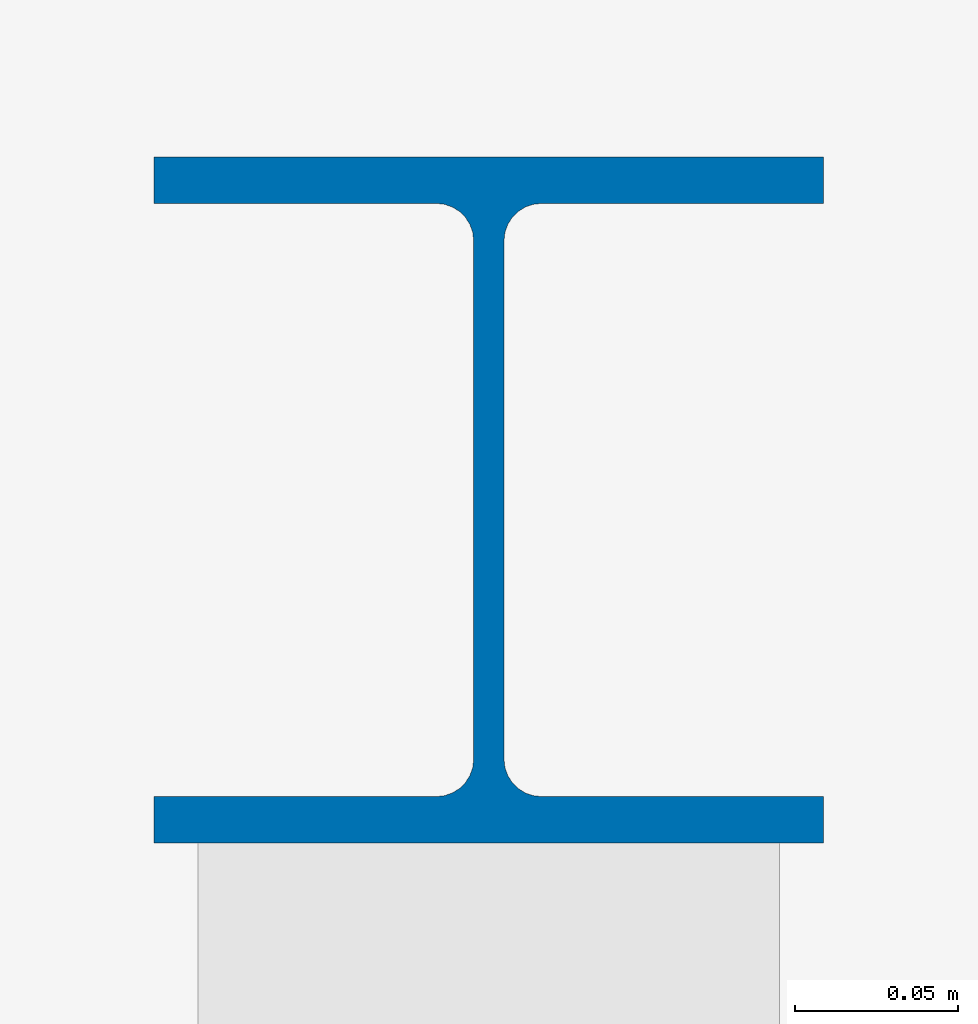
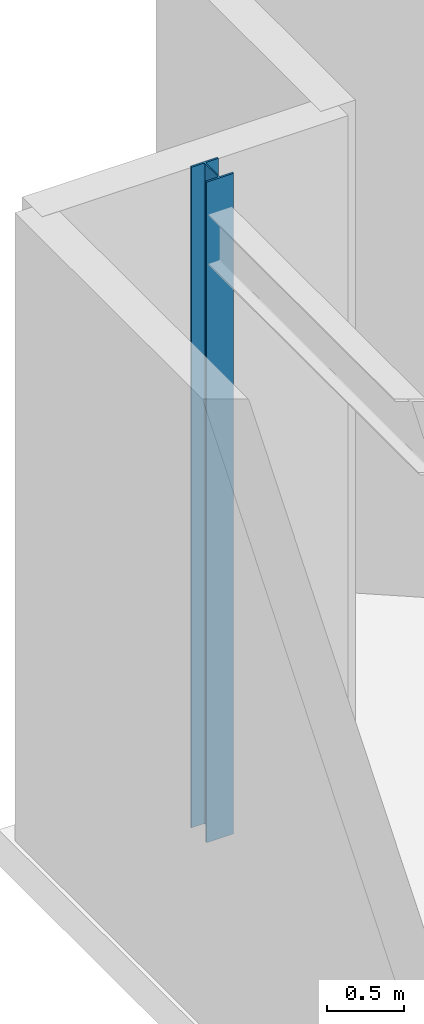
# One storey, part 4 of 14: 1 column.
"""IFC4 building model written with IfcOpenShell, lengths in metres."""

from ifc_helpers import new_model, si_unit, direction, frame, origin, origin_2d, place, context, subcontext, project, spatial, i_section, extrude, material, material_profile, profile_set, type_object, element, save


model = new_model("IFC4")

# Units and contexts
model_context = context("Model", 3, precision=1e-05, world=origin(), true_north=direction((0.0, 1.0)))
body_context = subcontext(model_context, "Body", "Model", "MODEL_VIEW")
ifc_project = project(units=[si_unit("LENGTHUNIT", "METRE"), si_unit("AREAUNIT", "SQUARE_METRE"), si_unit("VOLUMEUNIT", "CUBIC_METRE"), si_unit("PLANEANGLEUNIT", "RADIAN"), si_unit("MASSUNIT", "GRAM", prefix="KILO")], contexts=[model_context])

# Site, building, storey
site_placement = place(None, origin())
site = spatial("IfcSite", under=ifc_project, at=site_placement, CompositionType="ELEMENT")
building_placement = place(site_placement, origin())
building = spatial("IfcBuilding", under=site, at=building_placement, Name="Varnakote Quay Hospital", CompositionType="ELEMENT")
storey_placement = place(building_placement, frame((0.0, 0.0, 303.949951171875)))
storey = spatial("IfcBuildingStorey", under=building, at=storey_placement, Name="L75", CompositionType="ELEMENT", Elevation=303.949951171875)

# Column
ifc_material = material(Name="Structural steel AS/NZS 3679.1 Grade 350 L0 (fy 340 MPa)", Category="steel")
ifc_material_profile = material_profile(ifc_material, i_section(OverallWidth=0.205078125, OverallDepth=0.2099609375, WebThickness=0.00927734375, FlangeThickness=0.01416015625, FilletRadius=0.011474609375, at=origin_2d()), Name="200UC59.5")
ifc_profile_set = profile_set([ifc_material_profile], Name="Structural steel AS/NZS 3679.1 Grade 350 L0 (fy 340 MPa)")
column_type = type_object("IfcColumnType", Name="COL-STL-200UC59-5", PredefinedType="COLUMN", material=ifc_profile_set)
column_placement = place(storey_placement, frame((1.199951171875, 37.199951171875, 0.0), z_axis=(0.0, 0.0, 1.0), x_axis=(1.0, 0.0, 0.0)))
element("IfcColumn", 1, at=column_placement, inside=storey, type_object=column_type, Name="L75 Structural Column C-1-37", PredefinedType="COLUMN", context=body_context, shape_type="SweptSolid", body=[
    extrude(i_section(OverallWidth=0.205078125, OverallDepth=0.2099609375, WebThickness=0.00927734375, FlangeThickness=0.01416015625, FilletRadius=0.011474609375, at=origin_2d()), origin(), (0.0, 0.0, 1.0), 5.25),
])

save(model, "model.ifc")
